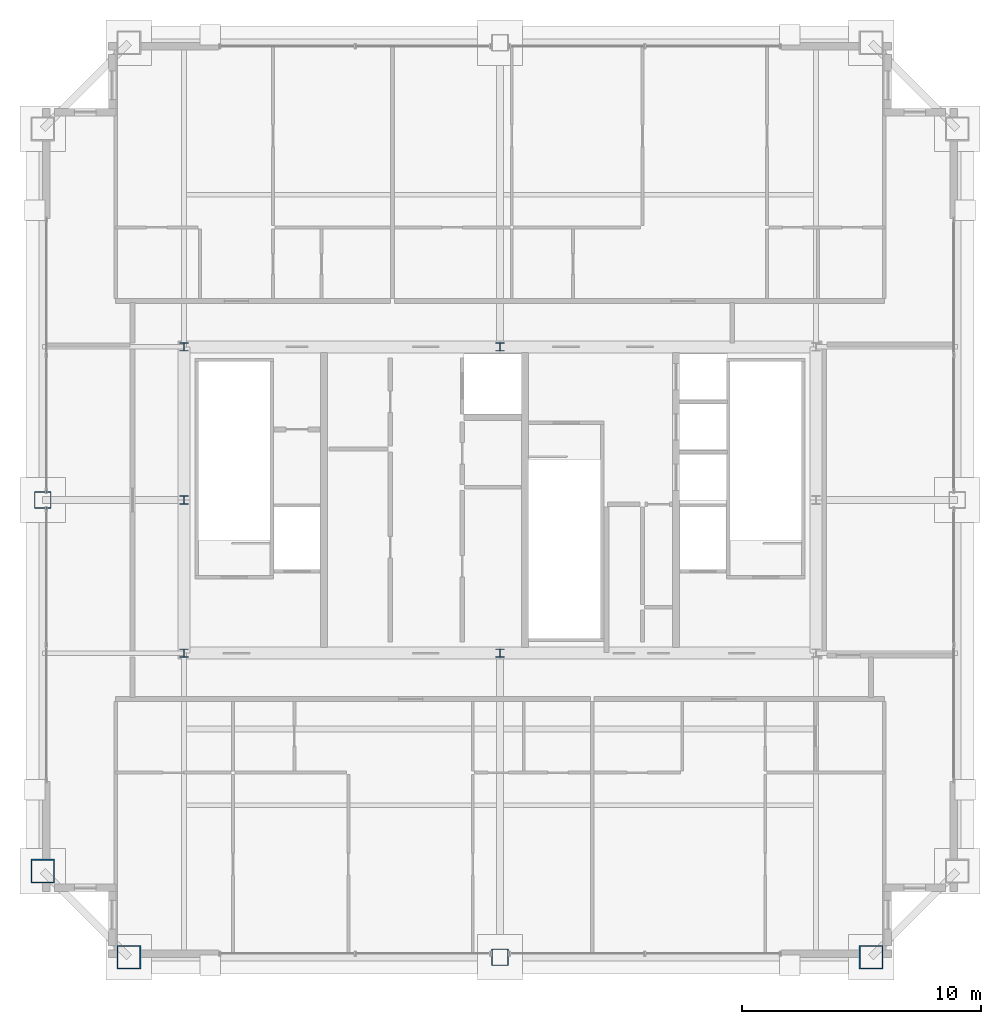
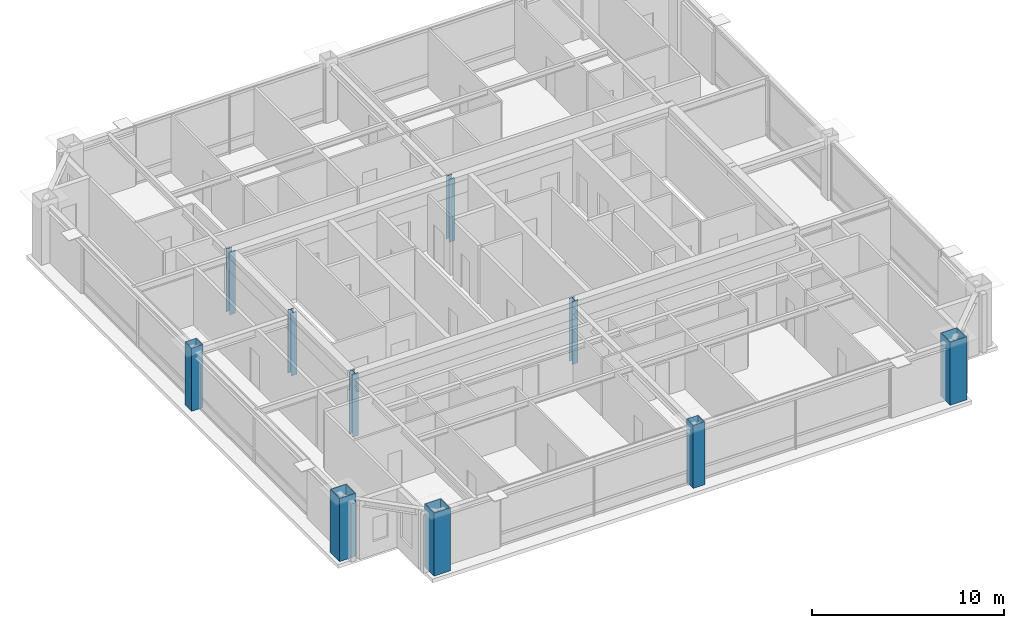
# One storey, part 1 of 34: 10 columns.
"""IFC4 building model written with IfcOpenShell, lengths in metres."""

from ifc_helpers import new_model, si_unit, direction, frame, origin, origin_2d, place, context, subcontext, project, spatial, hollow_rectangle, i_section, extrude, source, transform, mapped, material, material_profile, profile_set, type_object, element, save


model = new_model("IFC4")

# Units and contexts
model_context = context("Model", 3, precision=1e-05, world=origin(), true_north=direction((0.0, 1.0)))
body_context = subcontext(model_context, "Body", "Model", "MODEL_VIEW")
ifc_project = project(units=[si_unit("LENGTHUNIT", "METRE"), si_unit("AREAUNIT", "SQUARE_METRE"), si_unit("VOLUMEUNIT", "CUBIC_METRE"), si_unit("PLANEANGLEUNIT", "RADIAN"), si_unit("MASSUNIT", "GRAM", prefix="KILO"), si_unit("THERMODYNAMICTEMPERATUREUNIT", "KELVIN"), si_unit("POWERUNIT", "WATT")], contexts=[model_context])

# Site, building, storey
site_placement = place(None, origin())
site = spatial("IfcSite", under=ifc_project, at=site_placement, CompositionType="ELEMENT")
building_placement = place(site_placement, origin())
building = spatial("IfcBuilding", under=site, at=building_placement, Name="Yuzanri Waterfront Tower", CompositionType="ELEMENT")
storey_placement = place(building_placement, frame((0.0, 0.0, 347.199951171875)))
storey = spatial("IfcBuildingStorey", under=building, at=storey_placement, Name="L93", CompositionType="ELEMENT", Elevation=347.199951171875)

# Columns
ifc_material_1 = material(Name="Steel Q355B", Category="steel")
ifc_material_profile_1 = material_profile(ifc_material_1, i_section(OverallWidth=0.35009765625, OverallDepth=0.35009765625, WebThickness=0.011962890625, FlangeThickness=0.01904296875, at=origin_2d()), Name="HW 350x350x12x19")
ifc_profile_set_1 = profile_set([ifc_material_profile_1], Name="Steel Q355B")
column_type_1 = type_object("IfcColumnType", Name="Core Post Q355B HW 350x350x12x19", PredefinedType="COLUMN", material=ifc_profile_set_1)
shared_shape_1 = source(origin(), body_context, "Body", "SweptSolid", [
    extrude(i_section(OverallWidth=0.35009765625, OverallDepth=0.35009765625, WebThickness=0.011962890625, FlangeThickness=0.01904296875, at=origin_2d()), origin(), (0.0, 0.0, 1.0), 4.0),
])
for number, where, z_axis, x_axis, name in (
    (1, (23.800048828125, 19.39990234375, 0.0), (0.0, 0.0, 1.0), (1.0, 0.0, 0.0), "L93 Core Boundary Column CP1"),
    (2, (37.0, 19.39990234375, 0.0), (0.0, 0.0, 1.0), (1.0, 0.0, 0.0), "L93 Core Boundary Column CP2"),
    (3, (23.800048828125, 25.800048828125, 0.0), (0.0, 0.0, 1.0), (1.0, 0.0, 0.0), "L93 Core Boundary Column CP4"),
    (4, (23.800048828125, 32.199951171875, 0.0), (0.0, 0.0, 1.0), (1.0, 0.0, 0.0), "L93 Core Boundary Column CP6"),
    (5, (37.0, 32.199951171875, 0.0), (0.0, 0.0, 1.0), (1.0, 0.0, 0.0), "L93 Core Boundary Column CP7"),
):
    element("IfcColumn", number, at=place(storey_placement, frame(where, z_axis=z_axis, x_axis=x_axis)), inside=storey, type_object=column_type_1, Name=name, PredefinedType="COLUMN", context=body_context, shape_type="MappedRepresentation", body=[
        mapped(shared_shape_1, transform((0.0, 0.0, 0.0), scale=1.0)),
    ])
ifc_material_2 = material(Name="Steel Q390GJC", Category="steel")
ifc_material_profile_2 = material_profile(ifc_material_2, hollow_rectangle(XDim=1.0, YDim=1.0, WallThickness=0.048095703125, at=origin_2d()), Name="RHS 1000x1000x48")
ifc_profile_set_2 = profile_set([ifc_material_profile_2], Name="Steel Q390GJC")
column_type_2 = type_object("IfcColumnType", Name="Mega Column Q390GJC RHS 1000x1000x48", PredefinedType="COLUMN", material=ifc_profile_set_2)
shared_shape_2 = source(origin(), body_context, "Body", "SweptSolid", [
    extrude(hollow_rectangle(XDim=1.0, YDim=1.0, WallThickness=0.048095703125, at=origin_2d()), origin(), (0.0, 0.0, 1.0), 4.0),
])
for number, where, z_axis, x_axis, name in (
    (6, (21.5, 6.699951171875, 0.0), (0.0, 0.0, 1.0), (1.0, 0.0, 0.0), "L93 Perimeter Mega Column S1"),
    (7, (52.5, 6.699951171875, 0.0), (0.0, 0.0, 1.0), (1.0, 0.0, 0.0), "L93 Perimeter Mega Column S3"),
    (8, (17.89990234375, 10.300048828125, 0.0), (0.0, 0.0, 1.0), (1.0, 0.0, 0.0), "L93 Perimeter Mega Column W1"),
):
    element("IfcColumn", number, at=place(storey_placement, frame(where, z_axis=z_axis, x_axis=x_axis)), inside=storey, type_object=column_type_2, Name=name, PredefinedType="COLUMN", context=body_context, shape_type="MappedRepresentation", body=[
        mapped(shared_shape_2, transform((0.0, 0.0, 0.0), scale=1.0)),
    ])
ifc_material_3 = material(Name="Steel Q355B", Category="steel")
ifc_material_profile_3 = material_profile(ifc_material_3, hollow_rectangle(XDim=0.699951171875, YDim=0.699951171875, WallThickness=0.031982421875, at=origin_2d()), Name="RHS 700x700x32")
ifc_profile_set_3 = profile_set([ifc_material_profile_3], Name="Steel Q355B")
column_type_3 = type_object("IfcColumnType", Name="Frame Column Q355B RHS 700x700x32", PredefinedType="COLUMN", material=ifc_profile_set_3)
shared_shape_3 = source(origin(), body_context, "Body", "SweptSolid", [
    extrude(hollow_rectangle(XDim=0.699951171875, YDim=0.699951171875, WallThickness=0.031982421875, at=origin_2d()), origin(), (0.0, 0.0, 1.0), 4.0),
])
for number, where, z_axis, x_axis, name in (
    (9, (37.0, 6.699951171875, 0.0), (0.0, 0.0, 1.0), (1.0, 0.0, 0.0), "L93 Perimeter Frame Column S2"),
    (10, (17.89990234375, 25.800048828125, 0.0), (0.0, 0.0, 1.0), (1.0, 0.0, 0.0), "L93 Perimeter Frame Column W2"),
):
    element("IfcColumn", number, at=place(storey_placement, frame(where, z_axis=z_axis, x_axis=x_axis)), inside=storey, type_object=column_type_3, Name=name, PredefinedType="COLUMN", context=body_context, shape_type="MappedRepresentation", body=[
        mapped(shared_shape_3, transform((0.0, 0.0, 0.0), scale=1.0)),
    ])

save(model, "model.ifc")
